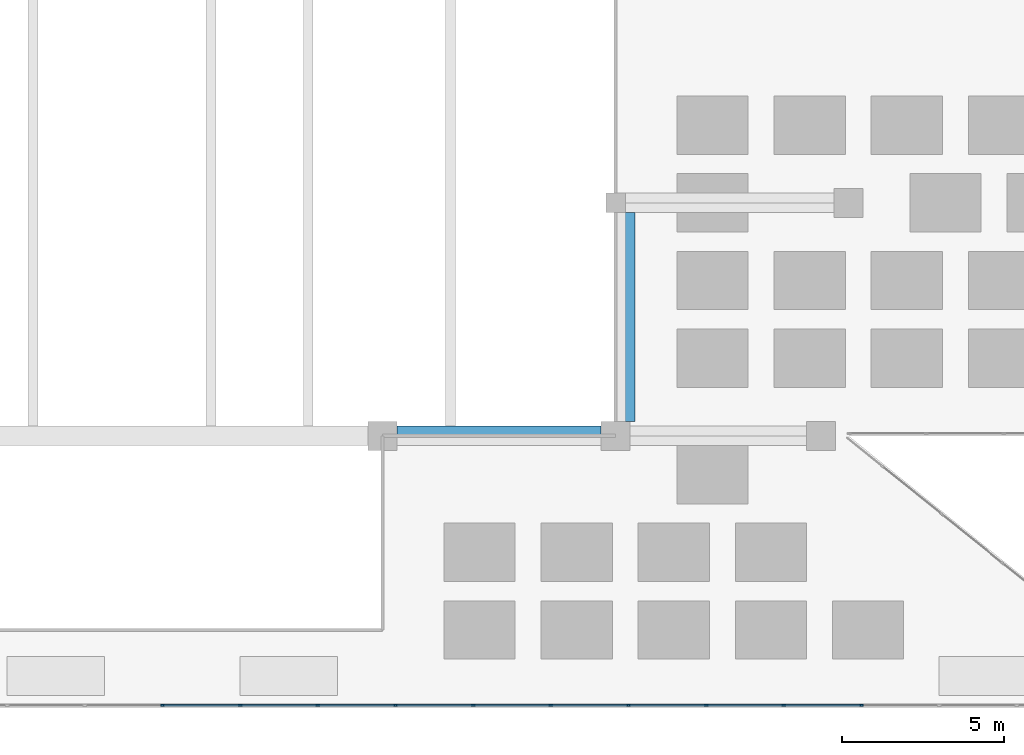
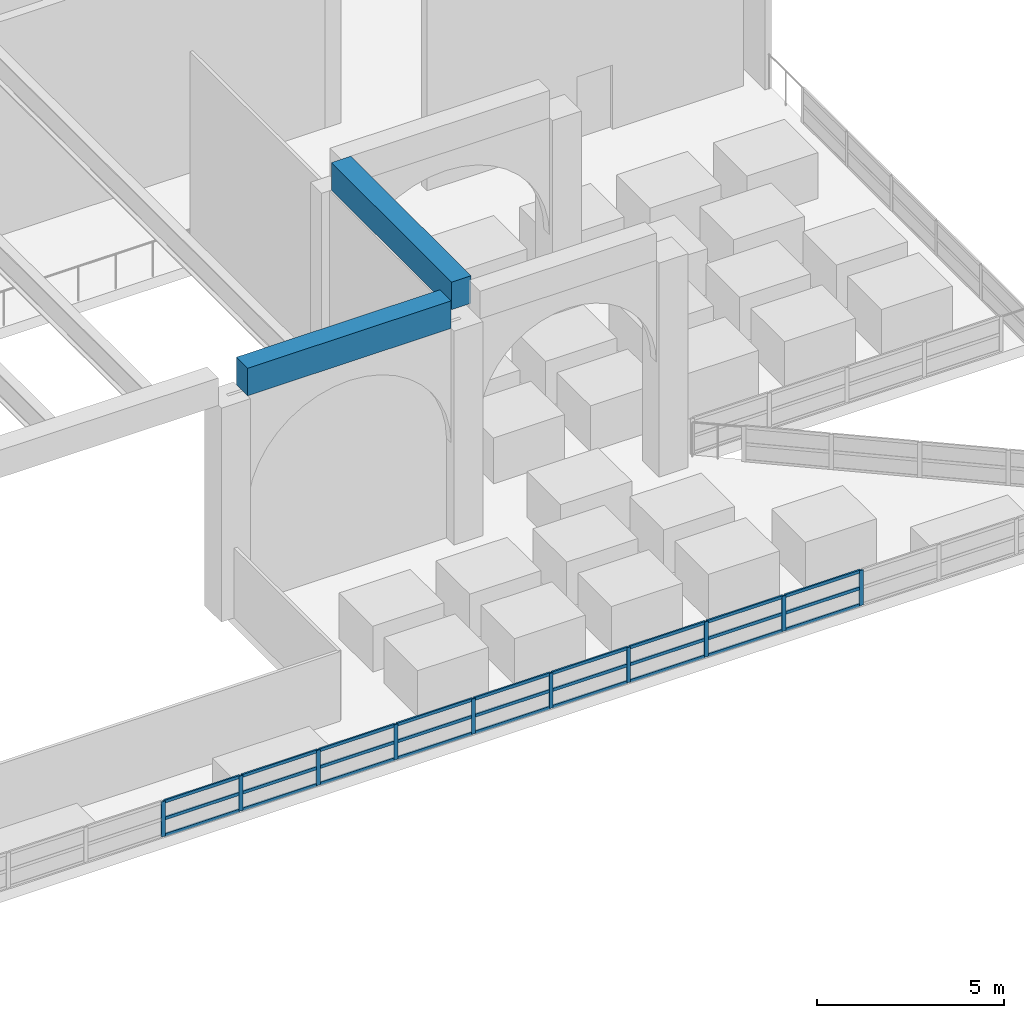
# One storey, part 6 of 17: 37 members, 2 beams, 1 element without a shape of its own.
"""IFC4 building model written with IfcOpenShell, lengths in metres."""

from ifc_helpers import new_model, si_unit, direction, frame, origin, origin_2d, place, context, subcontext, project, spatial, rectangle, extrude, source, transform, mapped, material, layer, layer_set, material_profile, profile_set, type_object, element, aggregate, save


model = new_model("IFC4")

# Units and contexts
model_context = context("Model", 3, precision=1e-05, world=origin(), true_north=direction((0.0, 1.0)))
body_context = subcontext(model_context, "Body", "Model", "MODEL_VIEW")
ifc_project = project(units=[si_unit("LENGTHUNIT", "METRE"), si_unit("AREAUNIT", "SQUARE_METRE"), si_unit("VOLUMEUNIT", "CUBIC_METRE"), si_unit("PLANEANGLEUNIT", "RADIAN"), si_unit("MASSUNIT", "GRAM", prefix="KILO")], contexts=[model_context])

# Site, building, storey
site_placement = place(None, origin())
site = spatial("IfcSite", under=ifc_project, at=site_placement, CompositionType="ELEMENT")
building_placement = place(site_placement, origin())
building = spatial("IfcBuilding", under=site, at=building_placement, Name="Saffron Iwan Residences", CompositionType="ELEMENT")
storey_placement = place(building_placement, frame((0.0, 0.0, 274.5)))
storey = spatial("IfcBuildingStorey", under=building, at=storey_placement, Name="L74", CompositionType="ELEMENT", Elevation=274.5)

# Beams
ifc_material_1 = material(Name="Concrete C40/50", Category="concrete")
ifc_material_profile_1 = material_profile(ifc_material_1, rectangle(XDim=0.60009765625, YDim=0.89990234375, at=origin_2d()), Name="RC 600x900")
ifc_profile_set_1 = profile_set([ifc_material_profile_1], Name="Concrete C40/50")
beam_type = type_object("IfcBeamType", Name="BEAM RC 600x900 C40/50 TOP 7900", PredefinedType="BEAM", material=ifc_profile_set_1)
shared_shape_1 = source(origin(), body_context, "Body", "SweptSolid", [
    extrude(rectangle(XDim=0.60009765625, YDim=0.89990234375, at=origin_2d()), origin(), (0.0, 0.0, 1.0), 6.449951171875),
])
beam_1_placement = place(storey_placement, frame((65.10009765625, 54.89990234375, 7.449951171875), z_axis=(0.0, -1.0, 0.0), x_axis=(1.0, 0.0, 0.0)))
element("IfcBeam", 1, at=beam_1_placement, inside=storey, type_object=beam_type, Name="Rooflight kerb beam", PredefinedType="BEAM", context=body_context, shape_type="MappedRepresentation", body=[
    mapped(shared_shape_1, transform((0.0, 0.0, 0.0))),
])
shared_shape_2 = source(origin(), body_context, "Body", "SweptSolid", [
    extrude(rectangle(XDim=0.60009765625, YDim=0.89990234375, at=origin_2d()), origin(), (0.0, 0.0, 1.0), 6.300048828125),
])
beam_2_placement = place(storey_placement, frame((64.35009765625, 48.0, 7.449951171875), z_axis=(-1.0, 0.0, 0.0), x_axis=(0.0, -1.0, 0.0)))
element("IfcBeam", 2, at=beam_2_placement, inside=storey, type_object=beam_type, Name="Crown ring beam", PredefinedType="BEAM", context=body_context, shape_type="MappedRepresentation", body=[
    mapped(shared_shape_2, transform((0.0, 0.0, 0.0))),
])

# Curtain wall, members
ifc_material_2 = material(Name="Clear glass, laminated double glazed", Category="glass")
ifc_layer = layer(ifc_material_2, 0.10009765625)
ifc_layer_set = layer_set([ifc_layer], Name="Clear glass, laminated double glazed")
curtain_wall_type = type_object("IfcCurtainWallType", Name="CW-F ROOF TERRACE GLAZED GUARD", PredefinedType="NOTDEFINED", material=ifc_layer_set)
curtain_wall_placement = place(storey_placement, origin())
curtain_wall = element("IfcCurtainWall", 3, at=curtain_wall_placement, inside=storey, type_object=curtain_wall_type, Name="Glazed terrace guard F11.12", PredefinedType="NOTDEFINED")
ifc_material_3 = material(Name="Aluminium 6063-T6", Category="aluminium")
ifc_material_profile_2 = material_profile(ifc_material_3, rectangle(XDim=0.050048828125, YDim=0.1201171875, at=origin_2d()), Name="CW-F MULLION 50 x 120")
ifc_profile_set_2 = profile_set([ifc_material_profile_2], Name="Aluminium 6063-T6")
member_type_1 = type_object("IfcMemberType", Name="CW-F MULLION 50 x 120", PredefinedType="MULLION", material=ifc_profile_set_2)
shared_shape_3 = source(origin(), body_context, "Body", "SweptSolid", [
    extrude(rectangle(XDim=0.050048828125, YDim=0.1201171875, at=origin_2d()), origin(), (0.0, 0.0, 1.0), 1.14990234375),
])
member_1_placement = place(storey_placement, frame((50.800048828125, 39.675048828125, 0.0), z_axis=(0.0, 0.0, 1.0), x_axis=(0.0, 1.0, 0.0)))
member_1 = element("IfcMember", 4, at=member_1_placement, type_object=member_type_1, Name="CW-F mullion 13", PredefinedType="MULLION", context=body_context, shape_type="MappedRepresentation", body=[
    mapped(shared_shape_3, transform((0.0, 0.0, 0.0))),
])
member_2_placement = place(storey_placement, frame((53.199951171875, 39.675048828125, 0.0), z_axis=(0.0, 0.0, 1.0), x_axis=(0.0, 1.0, 0.0)))
member_2 = element("IfcMember", 5, at=member_2_placement, type_object=member_type_1, Name="CW-F mullion 14", PredefinedType="MULLION", context=body_context, shape_type="MappedRepresentation", body=[
    mapped(shared_shape_3, transform((0.0, 0.0, 0.0))),
])
member_3_placement = place(storey_placement, frame((55.60009765625, 39.675048828125, 0.0), z_axis=(0.0, 0.0, 1.0), x_axis=(0.0, 1.0, 0.0)))
member_3 = element("IfcMember", 6, at=member_3_placement, type_object=member_type_1, Name="CW-F mullion 15", PredefinedType="MULLION", context=body_context, shape_type="MappedRepresentation", body=[
    mapped(shared_shape_3, transform((0.0, 0.0, 0.0))),
])
member_4_placement = place(storey_placement, frame((58.0, 39.675048828125, 0.0), z_axis=(0.0, 0.0, 1.0), x_axis=(0.0, 1.0, 0.0)))
member_4 = element("IfcMember", 7, at=member_4_placement, type_object=member_type_1, Name="CW-F mullion 16", PredefinedType="MULLION", context=body_context, shape_type="MappedRepresentation", body=[
    mapped(shared_shape_3, transform((0.0, 0.0, 0.0))),
])
member_5_placement = place(storey_placement, frame((60.39990234375, 39.675048828125, 0.0), z_axis=(0.0, 0.0, 1.0), x_axis=(0.0, 1.0, 0.0)))
member_5 = element("IfcMember", 8, at=member_5_placement, type_object=member_type_1, Name="CW-F mullion 17", PredefinedType="MULLION", context=body_context, shape_type="MappedRepresentation", body=[
    mapped(shared_shape_3, transform((0.0, 0.0, 0.0))),
])
member_6_placement = place(storey_placement, frame((62.800048828125, 39.675048828125, 0.0), z_axis=(0.0, 0.0, 1.0), x_axis=(0.0, 1.0, 0.0)))
member_6 = element("IfcMember", 9, at=member_6_placement, type_object=member_type_1, Name="CW-F mullion 18", PredefinedType="MULLION", context=body_context, shape_type="MappedRepresentation", body=[
    mapped(shared_shape_3, transform((0.0, 0.0, 0.0))),
])
member_7_placement = place(storey_placement, frame((65.199951171875, 39.675048828125, 0.0), z_axis=(0.0, 0.0, 1.0), x_axis=(0.0, 1.0, 0.0)))
member_7 = element("IfcMember", 10, at=member_7_placement, type_object=member_type_1, Name="CW-F mullion 19", PredefinedType="MULLION", context=body_context, shape_type="MappedRepresentation", body=[
    mapped(shared_shape_3, transform((0.0, 0.0, 0.0))),
])
member_8_placement = place(storey_placement, frame((67.60009765625, 39.675048828125, 0.0), z_axis=(0.0, 0.0, 1.0), x_axis=(0.0, 1.0, 0.0)))
member_8 = element("IfcMember", 11, at=member_8_placement, type_object=member_type_1, Name="CW-F mullion 20", PredefinedType="MULLION", context=body_context, shape_type="MappedRepresentation", body=[
    mapped(shared_shape_3, transform((0.0, 0.0, 0.0))),
])
member_9_placement = place(storey_placement, frame((70.0, 39.675048828125, 0.0), z_axis=(0.0, 0.0, 1.0), x_axis=(0.0, 1.0, 0.0)))
member_9 = element("IfcMember", 12, at=member_9_placement, type_object=member_type_1, Name="CW-F mullion 21", PredefinedType="MULLION", context=body_context, shape_type="MappedRepresentation", body=[
    mapped(shared_shape_3, transform((0.0, 0.0, 0.0))),
])
member_10_placement = place(storey_placement, frame((72.39990234375, 39.675048828125, 0.0), z_axis=(0.0, 0.0, 1.0), x_axis=(0.0, 1.0, 0.0)))
member_10 = element("IfcMember", 13, at=member_10_placement, type_object=member_type_1, Name="CW-F mullion 22", PredefinedType="MULLION", context=body_context, shape_type="MappedRepresentation", body=[
    mapped(shared_shape_3, transform((0.0, 0.0, 0.0))),
])
ifc_material_profile_3 = material_profile(ifc_material_3, rectangle(XDim=0.050048828125, YDim=0.10009765625, at=origin_2d()), Name="CW-F TRANSOM 50 x 100")
ifc_profile_set_3 = profile_set([ifc_material_profile_3], Name="Aluminium 6063-T6")
member_type_2 = type_object("IfcMemberType", Name="CW-F TRANSOM 50 x 100", PredefinedType="USERDEFINED", material=ifc_profile_set_3)
shared_shape_4 = source(origin(), body_context, "Body", "SweptSolid", [
    extrude(rectangle(XDim=0.050048828125, YDim=0.10009765625, at=origin_2d()), origin(), (0.0, 0.0, 1.0), 2.349853515625),
])
member_11_placement = place(storey_placement, frame((53.22509765625, 39.675048828125, 0.02490234375), z_axis=(1.0, 0.0, 0.0), x_axis=(0.0, 1.0, 0.0)))
member_11 = element("IfcMember", 14, at=member_11_placement, type_object=member_type_2, Name="CW-F transom 14.1", ObjectType="TRANSOM", PredefinedType="USERDEFINED", context=body_context, shape_type="MappedRepresentation", body=[
    mapped(shared_shape_4, transform((0.0, 0.0, 0.0))),
])
member_12_placement = place(storey_placement, frame((53.22509765625, 39.675048828125, 0.574951171875), z_axis=(1.0, 0.0, 0.0), x_axis=(0.0, 1.0, 0.0)))
member_12 = element("IfcMember", 15, at=member_12_placement, type_object=member_type_2, Name="CW-F transom 14.2", ObjectType="TRANSOM", PredefinedType="USERDEFINED", context=body_context, shape_type="MappedRepresentation", body=[
    mapped(shared_shape_4, transform((0.0, 0.0, 0.0))),
])
member_13_placement = place(storey_placement, frame((53.22509765625, 39.675048828125, 1.125), z_axis=(1.0, 0.0, 0.0), x_axis=(0.0, 1.0, 0.0)))
member_13 = element("IfcMember", 16, at=member_13_placement, type_object=member_type_2, Name="CW-F transom 14.3", ObjectType="TRANSOM", PredefinedType="USERDEFINED", context=body_context, shape_type="MappedRepresentation", body=[
    mapped(shared_shape_4, transform((0.0, 0.0, 0.0))),
])
member_14_placement = place(storey_placement, frame((60.425048828125, 39.675048828125, 0.02490234375), z_axis=(1.0, 0.0, 0.0), x_axis=(0.0, 1.0, 0.0)))
member_14 = element("IfcMember", 17, at=member_14_placement, type_object=member_type_2, Name="CW-F transom 17.1", ObjectType="TRANSOM", PredefinedType="USERDEFINED", context=body_context, shape_type="MappedRepresentation", body=[
    mapped(shared_shape_4, transform((0.0, 0.0, 0.0))),
])
member_15_placement = place(storey_placement, frame((60.425048828125, 39.675048828125, 0.574951171875), z_axis=(1.0, 0.0, 0.0), x_axis=(0.0, 1.0, 0.0)))
member_15 = element("IfcMember", 18, at=member_15_placement, type_object=member_type_2, Name="CW-F transom 17.2", ObjectType="TRANSOM", PredefinedType="USERDEFINED", context=body_context, shape_type="MappedRepresentation", body=[
    mapped(shared_shape_4, transform((0.0, 0.0, 0.0))),
])
member_16_placement = place(storey_placement, frame((60.425048828125, 39.675048828125, 1.125), z_axis=(1.0, 0.0, 0.0), x_axis=(0.0, 1.0, 0.0)))
member_16 = element("IfcMember", 19, at=member_16_placement, type_object=member_type_2, Name="CW-F transom 17.3", ObjectType="TRANSOM", PredefinedType="USERDEFINED", context=body_context, shape_type="MappedRepresentation", body=[
    mapped(shared_shape_4, transform((0.0, 0.0, 0.0))),
])
member_17_placement = place(storey_placement, frame((65.22509765625, 39.675048828125, 0.02490234375), z_axis=(1.0, 0.0, 0.0), x_axis=(0.0, 1.0, 0.0)))
member_17 = element("IfcMember", 20, at=member_17_placement, type_object=member_type_2, Name="CW-F transom 19.1", ObjectType="TRANSOM", PredefinedType="USERDEFINED", context=body_context, shape_type="MappedRepresentation", body=[
    mapped(shared_shape_4, transform((0.0, 0.0, 0.0))),
])
member_18_placement = place(storey_placement, frame((65.22509765625, 39.675048828125, 0.574951171875), z_axis=(1.0, 0.0, 0.0), x_axis=(0.0, 1.0, 0.0)))
member_18 = element("IfcMember", 21, at=member_18_placement, type_object=member_type_2, Name="CW-F transom 19.2", ObjectType="TRANSOM", PredefinedType="USERDEFINED", context=body_context, shape_type="MappedRepresentation", body=[
    mapped(shared_shape_4, transform((0.0, 0.0, 0.0))),
])
member_19_placement = place(storey_placement, frame((65.22509765625, 39.675048828125, 1.125), z_axis=(1.0, 0.0, 0.0), x_axis=(0.0, 1.0, 0.0)))
member_19 = element("IfcMember", 22, at=member_19_placement, type_object=member_type_2, Name="CW-F transom 19.3", ObjectType="TRANSOM", PredefinedType="USERDEFINED", context=body_context, shape_type="MappedRepresentation", body=[
    mapped(shared_shape_4, transform((0.0, 0.0, 0.0))),
])
shared_shape_5 = source(origin(), body_context, "Body", "SweptSolid", [
    extrude(rectangle(XDim=0.050048828125, YDim=0.10009765625, at=origin_2d()), origin(), (0.0, 0.0, 1.0), 2.35009765625),
])
member_20_placement = place(storey_placement, frame((50.824951171875, 39.675048828125, 0.02490234375), z_axis=(1.0, 0.0, 0.0), x_axis=(0.0, 1.0, 0.0)))
member_20 = element("IfcMember", 23, at=member_20_placement, type_object=member_type_2, Name="CW-F transom 13.1", ObjectType="TRANSOM", PredefinedType="USERDEFINED", context=body_context, shape_type="MappedRepresentation", body=[
    mapped(shared_shape_5, transform((0.0, 0.0, 0.0))),
])
member_21_placement = place(storey_placement, frame((50.824951171875, 39.675048828125, 0.574951171875), z_axis=(1.0, 0.0, 0.0), x_axis=(0.0, 1.0, 0.0)))
member_21 = element("IfcMember", 24, at=member_21_placement, type_object=member_type_2, Name="CW-F transom 13.2", ObjectType="TRANSOM", PredefinedType="USERDEFINED", context=body_context, shape_type="MappedRepresentation", body=[
    mapped(shared_shape_5, transform((0.0, 0.0, 0.0))),
])
member_22_placement = place(storey_placement, frame((50.824951171875, 39.675048828125, 1.125), z_axis=(1.0, 0.0, 0.0), x_axis=(0.0, 1.0, 0.0)))
member_22 = element("IfcMember", 25, at=member_22_placement, type_object=member_type_2, Name="CW-F transom 13.3", ObjectType="TRANSOM", PredefinedType="USERDEFINED", context=body_context, shape_type="MappedRepresentation", body=[
    mapped(shared_shape_5, transform((0.0, 0.0, 0.0))),
])
member_23_placement = place(storey_placement, frame((55.625, 39.675048828125, 0.02490234375), z_axis=(1.0, 0.0, 0.0), x_axis=(0.0, 1.0, 0.0)))
member_23 = element("IfcMember", 26, at=member_23_placement, type_object=member_type_2, Name="CW-F transom 15.1", ObjectType="TRANSOM", PredefinedType="USERDEFINED", context=body_context, shape_type="MappedRepresentation", body=[
    mapped(shared_shape_5, transform((0.0, 0.0, 0.0))),
])
member_24_placement = place(storey_placement, frame((55.625, 39.675048828125, 0.574951171875), z_axis=(1.0, 0.0, 0.0), x_axis=(0.0, 1.0, 0.0)))
member_24 = element("IfcMember", 27, at=member_24_placement, type_object=member_type_2, Name="CW-F transom 15.2", ObjectType="TRANSOM", PredefinedType="USERDEFINED", context=body_context, shape_type="MappedRepresentation", body=[
    mapped(shared_shape_5, transform((0.0, 0.0, 0.0))),
])
member_25_placement = place(storey_placement, frame((55.625, 39.675048828125, 1.125), z_axis=(1.0, 0.0, 0.0), x_axis=(0.0, 1.0, 0.0)))
member_25 = element("IfcMember", 28, at=member_25_placement, type_object=member_type_2, Name="CW-F transom 15.3", ObjectType="TRANSOM", PredefinedType="USERDEFINED", context=body_context, shape_type="MappedRepresentation", body=[
    mapped(shared_shape_5, transform((0.0, 0.0, 0.0))),
])
member_26_placement = place(storey_placement, frame((58.02490234375, 39.675048828125, 0.02490234375), z_axis=(1.0, 0.0, 0.0), x_axis=(0.0, 1.0, 0.0)))
member_26 = element("IfcMember", 29, at=member_26_placement, type_object=member_type_2, Name="CW-F transom 16.1", ObjectType="TRANSOM", PredefinedType="USERDEFINED", context=body_context, shape_type="MappedRepresentation", body=[
    mapped(shared_shape_5, transform((0.0, 0.0, 0.0))),
])
member_27_placement = place(storey_placement, frame((58.02490234375, 39.675048828125, 0.574951171875), z_axis=(1.0, 0.0, 0.0), x_axis=(0.0, 1.0, 0.0)))
member_27 = element("IfcMember", 30, at=member_27_placement, type_object=member_type_2, Name="CW-F transom 16.2", ObjectType="TRANSOM", PredefinedType="USERDEFINED", context=body_context, shape_type="MappedRepresentation", body=[
    mapped(shared_shape_5, transform((0.0, 0.0, 0.0))),
])
member_28_placement = place(storey_placement, frame((58.02490234375, 39.675048828125, 1.125), z_axis=(1.0, 0.0, 0.0), x_axis=(0.0, 1.0, 0.0)))
member_28 = element("IfcMember", 31, at=member_28_placement, type_object=member_type_2, Name="CW-F transom 16.3", ObjectType="TRANSOM", PredefinedType="USERDEFINED", context=body_context, shape_type="MappedRepresentation", body=[
    mapped(shared_shape_5, transform((0.0, 0.0, 0.0))),
])
member_29_placement = place(storey_placement, frame((62.824951171875, 39.675048828125, 0.02490234375), z_axis=(1.0, 0.0, 0.0), x_axis=(0.0, 1.0, 0.0)))
member_29 = element("IfcMember", 32, at=member_29_placement, type_object=member_type_2, Name="CW-F transom 18.1", ObjectType="TRANSOM", PredefinedType="USERDEFINED", context=body_context, shape_type="MappedRepresentation", body=[
    mapped(shared_shape_5, transform((0.0, 0.0, 0.0))),
])
member_30_placement = place(storey_placement, frame((62.824951171875, 39.675048828125, 0.574951171875), z_axis=(1.0, 0.0, 0.0), x_axis=(0.0, 1.0, 0.0)))
member_30 = element("IfcMember", 33, at=member_30_placement, type_object=member_type_2, Name="CW-F transom 18.2", ObjectType="TRANSOM", PredefinedType="USERDEFINED", context=body_context, shape_type="MappedRepresentation", body=[
    mapped(shared_shape_5, transform((0.0, 0.0, 0.0))),
])
member_31_placement = place(storey_placement, frame((62.824951171875, 39.675048828125, 1.125), z_axis=(1.0, 0.0, 0.0), x_axis=(0.0, 1.0, 0.0)))
member_31 = element("IfcMember", 34, at=member_31_placement, type_object=member_type_2, Name="CW-F transom 18.3", ObjectType="TRANSOM", PredefinedType="USERDEFINED", context=body_context, shape_type="MappedRepresentation", body=[
    mapped(shared_shape_5, transform((0.0, 0.0, 0.0))),
])
member_32_placement = place(storey_placement, frame((67.625, 39.675048828125, 0.02490234375), z_axis=(1.0, 0.0, 0.0), x_axis=(0.0, 1.0, 0.0)))
member_32 = element("IfcMember", 35, at=member_32_placement, type_object=member_type_2, Name="CW-F transom 20.1", ObjectType="TRANSOM", PredefinedType="USERDEFINED", context=body_context, shape_type="MappedRepresentation", body=[
    mapped(shared_shape_5, transform((0.0, 0.0, 0.0))),
])
member_33_placement = place(storey_placement, frame((67.625, 39.675048828125, 0.574951171875), z_axis=(1.0, 0.0, 0.0), x_axis=(0.0, 1.0, 0.0)))
member_33 = element("IfcMember", 36, at=member_33_placement, type_object=member_type_2, Name="CW-F transom 20.2", ObjectType="TRANSOM", PredefinedType="USERDEFINED", context=body_context, shape_type="MappedRepresentation", body=[
    mapped(shared_shape_5, transform((0.0, 0.0, 0.0))),
])
member_34_placement = place(storey_placement, frame((67.625, 39.675048828125, 1.125), z_axis=(1.0, 0.0, 0.0), x_axis=(0.0, 1.0, 0.0)))
member_34 = element("IfcMember", 37, at=member_34_placement, type_object=member_type_2, Name="CW-F transom 20.3", ObjectType="TRANSOM", PredefinedType="USERDEFINED", context=body_context, shape_type="MappedRepresentation", body=[
    mapped(shared_shape_5, transform((0.0, 0.0, 0.0))),
])
member_35_placement = place(storey_placement, frame((70.02490234375, 39.675048828125, 0.02490234375), z_axis=(1.0, 0.0, 0.0), x_axis=(0.0, 1.0, 0.0)))
member_35 = element("IfcMember", 38, at=member_35_placement, type_object=member_type_2, Name="CW-F transom 21.1", ObjectType="TRANSOM", PredefinedType="USERDEFINED", context=body_context, shape_type="MappedRepresentation", body=[
    mapped(shared_shape_5, transform((0.0, 0.0, 0.0))),
])
member_36_placement = place(storey_placement, frame((70.02490234375, 39.675048828125, 0.574951171875), z_axis=(1.0, 0.0, 0.0), x_axis=(0.0, 1.0, 0.0)))
member_36 = element("IfcMember", 39, at=member_36_placement, type_object=member_type_2, Name="CW-F transom 21.2", ObjectType="TRANSOM", PredefinedType="USERDEFINED", context=body_context, shape_type="MappedRepresentation", body=[
    mapped(shared_shape_5, transform((0.0, 0.0, 0.0))),
])
member_37_placement = place(storey_placement, frame((70.02490234375, 39.675048828125, 1.125), z_axis=(1.0, 0.0, 0.0), x_axis=(0.0, 1.0, 0.0)))
member_37 = element("IfcMember", 40, at=member_37_placement, type_object=member_type_2, Name="CW-F transom 21.3", ObjectType="TRANSOM", PredefinedType="USERDEFINED", context=body_context, shape_type="MappedRepresentation", body=[
    mapped(shared_shape_5, transform((0.0, 0.0, 0.0))),
])
aggregate(curtain_wall, [member_1, member_2, member_3, member_4, member_5, member_6, member_7, member_8, member_9, member_10, member_20, member_21, member_22, member_11, member_12, member_13, member_23, member_24, member_25, member_26, member_27, member_28, member_14, member_15, member_16, member_29, member_30, member_31, member_17, member_18, member_19, member_32, member_33, member_34, member_35, member_36, member_37])

save(model, "model.ifc")
